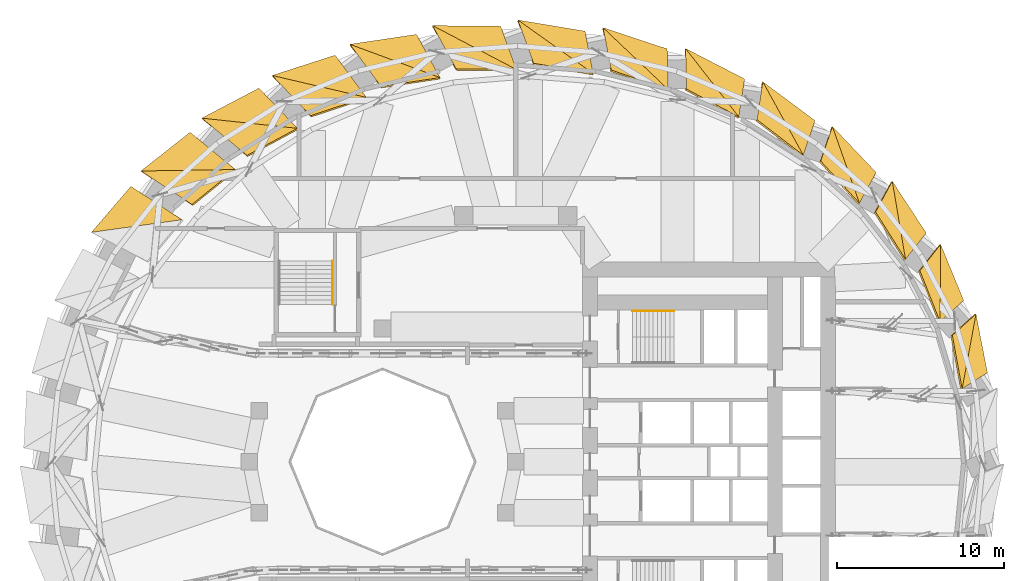
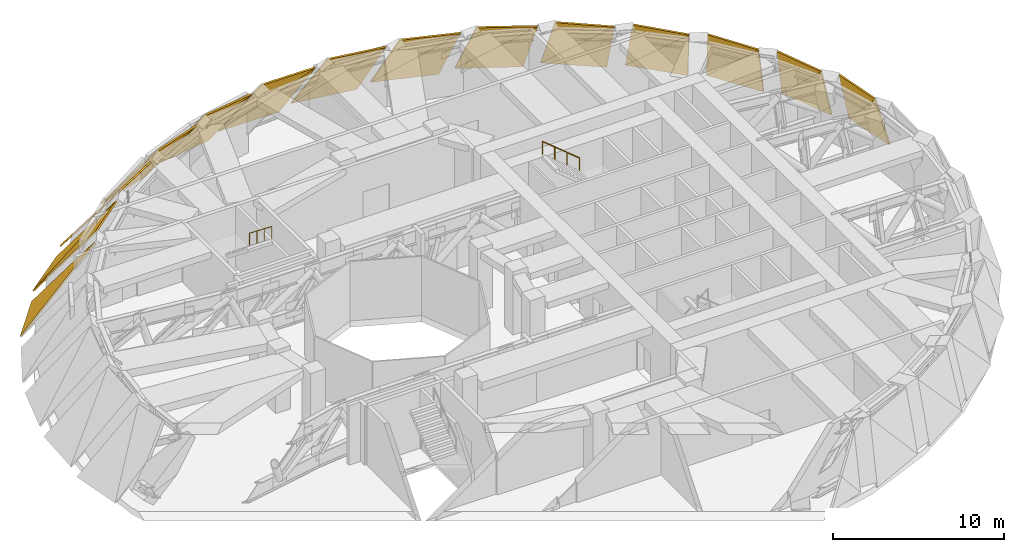
# One storey, part 15 of 15: 27 shading devices, 2 railings.
"""IFC4 building model written with IfcOpenShell, lengths in metres."""

from ifc_helpers import new_model, si_unit, direction, frame, origin, origin_2d, place, context, subcontext, project, spatial, polyline, circle, outline, extrude, material, layer, layer_set, type_object, element, save


model = new_model("IFC4")

# Units and contexts
model_context = context("Model", 3, precision=1e-05, world=origin(), true_north=direction((0.0, 1.0)))
body_context = subcontext(model_context, "Body", "Model", "MODEL_VIEW")
ifc_project = project(units=[si_unit("LENGTHUNIT", "METRE"), si_unit("AREAUNIT", "SQUARE_METRE"), si_unit("VOLUMEUNIT", "CUBIC_METRE"), si_unit("PLANEANGLEUNIT", "RADIAN"), si_unit("MASSUNIT", "GRAM", prefix="KILO")], contexts=[model_context])

# Site, building, storey
site_placement = place(None, origin())
site = spatial("IfcSite", under=ifc_project, at=site_placement, CompositionType="ELEMENT")
building_placement = place(site_placement, origin())
building = spatial("IfcBuilding", under=site, at=building_placement, Name="Taillehof Tower", CompositionType="ELEMENT")
storey_placement = place(building_placement, frame((0.0, 0.0, 84.39990234375)))
storey = spatial("IfcBuildingStorey", under=building, at=storey_placement, Name="L23", CompositionType="ELEMENT", Elevation=84.39990234375)

# Shading devices
ifc_material_1 = material(Name="Aluminium louvre blades", Category="aluminium")
ifc_layer = layer(ifc_material_1, 0.10009765625)
ifc_layer_set = layer_set([ifc_layer], Name="Louvre panel 100")
shading_device_type = type_object("IfcShadingDeviceType", Name="Louvre panel 100", PredefinedType="USERDEFINED", material=ifc_layer_set)
shading_device_1_placement = place(storey_placement, frame((28.30615234375, 5.35009765625, 0.0), z_axis=(0.916180394057, 0.178617964765, 0.358760516513), x_axis=(-0.191356645662, 0.981520572459, 0.0)))
element("IfcShadingDevice", 1, at=shading_device_1_placement, inside=storey, type_object=shading_device_type, Name="Louvre panel L23 bay 2a", ObjectType="LOUVER", PredefinedType="USERDEFINED", context=body_context, shape_type="SweptSolid", body=[
    extrude(outline(polyline([(0.0, 0.0), (3.582561100134604, 2.7755575615628914e-17), (-0.6662472100757599, 4.671061682244512), (0.0, 0.0)])), origin(), (0.0, 0.0, -1.0), 0.10009765625),
])
shading_device_2_placement = place(storey_placement, frame((27.62060546875, 8.866455078125, 0.0), z_axis=(0.921769250927, 0.168372494271, 0.349273748252), x_axis=(-0.297778949172, -0.269524049741, 0.915797184993)))
element("IfcShadingDevice", 2, at=shading_device_2_placement, inside=storey, type_object=shading_device_type, Name="Louvre panel L23 bay 2b", ObjectType="LOUVER", PredefinedType="USERDEFINED", context=body_context, shape_type="SweptSolid", body=[
    extrude(outline(polyline([(0.0, 0.0), (4.760996750505793, -1.1102230246251565e-16), (5.451086352931329, 3.186980839153476), (0.0, 0.0)])), origin(), (0.0, 0.0, -1.0), 0.10009765625),
])
shading_device_3_placement = place(storey_placement, frame((26.88232421875, 9.68212890625, 0.0), z_axis=(0.854805335246, 0.351799829487, 0.381503235645), x_axis=(-0.380584376045, 0.924746199079, 0.0)))
element("IfcShadingDevice", 3, at=shading_device_3_placement, inside=storey, type_object=shading_device_type, Name="Louvre panel L23 bay 3a", ObjectType="LOUVER", PredefinedType="USERDEFINED", context=body_context, shape_type="SweptSolid", body=[
    extrude(outline(polyline([(0.0, 0.0), (3.6372416496293747, 5.551115123125783e-17), (-0.6472991447415076, 4.716854937262133), (0.0, 0.0)])), origin(), (0.0, 0.0, -1.0), 0.10009765625),
])
shading_device_4_placement = place(storey_placement, frame((25.498046875, 13.045654296875, 0.0), z_axis=(0.86430414264, 0.340829110152, 0.369883585317), x_axis=(-0.259227992577, -0.328345285477, 0.908289723255)))
element("IfcShadingDevice", 4, at=shading_device_4_placement, inside=storey, type_object=shading_device_type, Name="Louvre panel L23 bay 3b", ObjectType="LOUVER", PredefinedType="USERDEFINED", context=body_context, shape_type="SweptSolid", body=[
    extrude(outline(polyline([(0.0, 0.0), (4.8003487326182945, -1.1102230246251565e-16), (5.494722794519456, 3.2270778932636164), (0.0, 0.0)])), origin(), (0.0, 0.0, -1.0), 0.10009765625),
])
shading_device_5_placement = place(storey_placement, frame((24.634765625, 13.727294921875, 0.0), z_axis=(0.766375076466, 0.502392078629, 0.400339158093), x_axis=(-0.548243285447, 0.836318898485, 0.0)))
element("IfcShadingDevice", 5, at=shading_device_5_placement, inside=storey, type_object=shading_device_type, Name="Louvre panel L23 bay 4a", ObjectType="LOUVER", PredefinedType="USERDEFINED", context=body_context, shape_type="SweptSolid", body=[
    extrude(outline(polyline([(0.0, 0.0), (3.717929853831843, 0.0), (-0.6359567340565268, 4.758036043070524), (0.0, 0.0)])), origin(), (0.0, 0.0, -1.0), 0.10009765625),
])
shading_device_6_placement = place(storey_placement, frame((22.596435546875, 16.836669921875, 0.0), z_axis=(0.7790661991, 0.492732424626, 0.387647539837), x_axis=(-0.207248198207, -0.381149011066, 0.900984803259)))
element("IfcShadingDevice", 6, at=shading_device_6_placement, inside=storey, type_object=shading_device_type, Name="Louvre panel L23 bay 4b", ObjectType="LOUVER", PredefinedType="USERDEFINED", context=body_context, shape_type="SweptSolid", body=[
    extrude(outline(polyline([(0.0, 0.0), (4.839268549374396, 0.0), (5.549738349902594, 3.2856718726879706), (0.0, 0.0)])), origin(), (0.0, 0.0, -1.0), 0.10009765625),
])
shading_device_7_placement = place(storey_placement, frame((21.6298828125, 17.362060546875, 0.0), z_axis=(0.658618777642, 0.626657166317, 0.416559841609), x_axis=(-0.689309697609, 0.724466797571, 0.0)))
element("IfcShadingDevice", 7, at=shading_device_7_placement, inside=storey, type_object=shading_device_type, Name="Louvre panel L23 bay 5a", ObjectType="LOUVER", PredefinedType="USERDEFINED", context=body_context, shape_type="SweptSolid", body=[
    extrude(outline(polyline([(0.0, 0.0), (3.8124078286082472, 0.0), (-0.6451054022378078, 4.79602642411517), (0.0, 0.0)])), origin(), (0.0, 0.0, -1.0), 0.10009765625),
])
shading_device_8_placement = place(storey_placement, frame((19.001953125, 20.1240234375, 0.0), z_axis=(0.673060721573, 0.619645269431, 0.403768504402), x_axis=(-0.143384936591, -0.426253859282, 0.893167625592)))
element("IfcShadingDevice", 8, at=shading_device_8_placement, inside=storey, type_object=shading_device_type, Name="Louvre panel L23 bay 5b", ObjectType="LOUVER", PredefinedType="USERDEFINED", context=body_context, shape_type="SweptSolid", body=[
    extrude(outline(polyline([(0.0, 0.0), (4.8816227737592435, 0.0), (5.624786357300604, 3.3515775537354924), (0.0, 0.0)])), origin(), (0.0, 0.0, -1.0), 0.10009765625),
])
shading_device_9_placement = place(storey_placement, frame((17.959228515625, 20.474853515625, 0.0), z_axis=(0.538224232662, 0.723774106841, 0.431816763965), x_axis=(-0.802444699443, 0.596726490392, 0.0)))
element("IfcShadingDevice", 9, at=shading_device_9_placement, inside=storey, type_object=shading_device_type, Name="Louvre panel L23 bay 6a", ObjectType="LOUVER", PredefinedType="USERDEFINED", context=body_context, shape_type="SweptSolid", body=[
    extrude(outline(polyline([(0.0, 0.0), (3.9080404298271385, 0.0), (-0.6800026670667184, 4.834029093630596), (0.0, 0.0)])), origin(), (0.0, 0.0, -1.0), 0.10009765625),
])
shading_device_10_placement = place(storey_placement, frame((14.8232421875, 22.806884765625, 0.0), z_axis=(0.552599020968, 0.719940241481, 0.419905192539), x_axis=(-0.069800651306, -0.462070410843, 0.884092079198)))
element("IfcShadingDevice", 10, at=shading_device_10_placement, inside=storey, type_object=shading_device_type, Name="Louvre panel L23 bay 6b", ObjectType="LOUVER", PredefinedType="USERDEFINED", context=body_context, shape_type="SweptSolid", body=[
    extrude(outline(polyline([(0.0, 0.0), (4.931734515514421, 1.1102230246251565e-16), (5.723743217688373, 3.414196877010572), (0.0, 0.0)])), origin(), (0.0, 0.0, -1.0), 0.10009765625),
])
shading_device_11_placement = place(storey_placement, frame((13.735595703125, 22.971435546875, 0.0), z_axis=(0.410113947125, 0.794582102091, 0.447711774929), x_axis=(-0.888617441087, 0.458649150654, 0.0)))
element("IfcShadingDevice", 11, at=shading_device_11_placement, inside=storey, type_object=shading_device_type, Name="Louvre panel L23 bay 7a", ObjectType="LOUVER", PredefinedType="USERDEFINED", context=body_context, shape_type="SweptSolid", body=[
    extrude(outline(polyline([(0.0, 0.0), (3.9922775064314235, -1.1102230246251565e-16), (-0.7393894603082364, 4.876107188794631), (0.0, 0.0)])), origin(), (0.0, 0.0, -1.0), 0.10009765625),
])
shading_device_12_placement = place(storey_placement, frame((10.18798828125, 24.802490234375, 0.0), z_axis=(0.422607162388, 0.79364234253, 0.437647139191), x_axis=(0.011000432515, -0.487343605824, 0.873140996831)))
element("IfcShadingDevice", 12, at=shading_device_12_placement, inside=storey, type_object=shading_device_type, Name="Louvre panel L23 bay 7b", ObjectType="LOUVER", PredefinedType="USERDEFINED", context=body_context, shape_type="SweptSolid", body=[
    extrude(outline(polyline([(0.0, 0.0), (4.993589165667344, 1.1102230246251565e-16), (5.845261557978869, 3.463814504208389), (0.0, 0.0)])), origin(), (0.0, 0.0, -1.0), 0.10009765625),
])
shading_device_13_placement = place(storey_placement, frame((9.088134765625, 24.777587890625, 0.0), z_axis=(0.277654646434, 0.840371616049, 0.465492689796), x_axis=(-0.949516951842, 0.313715728271, 0.0)))
element("IfcShadingDevice", 13, at=shading_device_13_placement, inside=storey, type_object=shading_device_type, Name="Louvre panel L23 bay 8a", ObjectType="LOUVER", PredefinedType="USERDEFINED", context=body_context, shape_type="SweptSolid", body=[
    extrude(outline(polyline([(0.0, 0.0), (4.0545390033908735, 0.0), (-0.8157703844698778, 4.926387124292339), (0.0, 0.0)])), origin(), (0.0, 0.0, -1.0), 0.10009765625),
])
shading_device_14_placement = place(storey_placement, frame((5.23828125, 26.049560546875, 0.0), z_axis=(0.28692509595, 0.841358399941, 0.458028418511), x_axis=(0.096267995688, -0.501036631886, 0.860055095046)))
element("IfcShadingDevice", 14, at=shading_device_14_placement, inside=storey, type_object=shading_device_type, Name="Louvre panel L23 bay 8b", ObjectType="LOUVER", PredefinedType="USERDEFINED", context=body_context, shape_type="SweptSolid", body=[
    extrude(outline(polyline([(0.0, 0.0), (5.069567574206151, 2.220446049250313e-16), (5.982364134666577, 3.492924704618311), (0.0, 0.0)])), origin(), (0.0, 0.0, -1.0), 0.10009765625),
])
shading_device_15_placement = place(storey_placement, frame((4.158203125, 25.842041015625, 0.0), z_axis=(0.14304148073, 0.862059843536, 0.486201564122), x_axis=(-0.986511538692, 0.163691734755, 0.0)))
element("IfcShadingDevice", 15, at=shading_device_15_placement, inside=storey, type_object=shading_device_type, Name="Louvre panel L23 bay 9a", ObjectType="LOUVER", PredefinedType="USERDEFINED", context=body_context, shape_type="SweptSolid", body=[
    extrude(outline(polyline([(0.0, 0.0), (4.086616306556003, 0.0), (-0.8969967926519684, 4.989556483661586), (0.0, 0.0)])), origin(), (0.0, 0.0, -1.0), 0.10009765625),
])
shading_device_16_placement = place(storey_placement, frame((0.126708984375, 26.510986328125, 0.0), z_axis=(0.148471226534, 0.863644978174, 0.481740227266), x_axis=(0.182804640765, -0.502712762102, 0.84490374726)))
element("IfcShadingDevice", 16, at=shading_device_16_placement, inside=storey, type_object=shading_device_type, Name="Louvre panel L23 bay 9b", ObjectType="LOUVER", PredefinedType="USERDEFINED", context=body_context, shape_type="SweptSolid", body=[
    extrude(outline(polyline([(0.0, 0.0), (5.160478262776892, 0.0), (6.123215154439896, 3.4983295440373063), (0.0, 0.0)])), origin(), (0.0, 0.0, -1.0), 0.10009765625),
])
shading_device_17_placement = place(storey_placement, frame((-0.906982421875, 26.135009765625, 0.0), z_axis=(0.008331461742, 0.860146281703, 0.509979372933), x_axis=(-0.999953093047, 0.009685644309, 0.0)))
element("IfcShadingDevice", 17, at=shading_device_17_placement, inside=storey, type_object=shading_device_type, Name="Louvre panel L23 bay 10a", ObjectType="LOUVER", PredefinedType="USERDEFINED", context=body_context, shape_type="SweptSolid", body=[
    extrude(outline(polyline([(0.0, 0.0), (4.083443495016995, 0.0), (-0.9684419941320055, 5.068792361558564), (0.0, 0.0)])), origin(), (0.0, 0.0, -1.0), 0.10009765625),
])
shading_device_18_placement = place(storey_placement, frame((-4.990234375, 26.174560546875, 0.0), z_axis=(0.009874819576, 0.860910005482, 0.508661430029), x_axis=(0.267497357879, -0.492421453877, 0.828230810396)))
element("IfcShadingDevice", 18, at=shading_device_18_placement, inside=storey, type_object=shading_device_type, Name="Louvre panel L23 bay 10b", ObjectType="LOUVER", PredefinedType="USERDEFINED", context=body_context, shape_type="SweptSolid", body=[
    extrude(outline(polyline([(0.0, 0.0), (5.264362744232517, 0.0), (6.252714792154144, 3.4810574152181726), (0.0, 0.0)])), origin(), (0.0, 0.0, -1.0), 0.10009765625),
])
shading_device_19_placement = place(storey_placement, frame((-5.956787109375, 25.6494140625, 0.0), z_axis=(-0.124453258858, 0.834697767659, 0.536461576466), x_axis=(-0.989066586301, -0.147469616743, 0.0)))
element("IfcShadingDevice", 19, at=shading_device_19_placement, inside=storey, type_object=shading_device_type, Name="Louvre panel L23 bay 11a", ObjectType="LOUVER", PredefinedType="USERDEFINED", context=body_context, shape_type="SweptSolid", body=[
    extrude(outline(polyline([(0.0, 0.0), (4.044463938049234, 0.0), (-1.0105233591817966, 5.166464714232667), (0.0, 0.0)])), origin(), (0.0, 0.0, -1.0), 0.10009765625),
])
shading_device_20_placement = place(storey_placement, frame((-9.95703125, 25.052978515625, 0.0), z_axis=(-0.126233302731, 0.833392724499, 0.538072225667), x_axis=(0.347559619316, -0.470874044667, 0.810851370524)))
element("IfcShadingDevice", 20, at=shading_device_20_placement, inside=storey, type_object=shading_device_type, Name="Louvre panel L23 bay 11b", ObjectType="LOUVER", PredefinedType="USERDEFINED", context=body_context, shape_type="SweptSolid", body=[
    extrude(outline(polyline([(0.0, 0.0), (5.377196833321492, 0.0), (6.3549507295010565, 3.4438140838599764), (0.0, 0.0)])), origin(), (0.0, 0.0, -1.0), 0.10009765625),
])
shading_device_21_placement = place(storey_placement, frame((-10.842041015625, 24.399658203125, 0.0), z_axis=(-0.252975115262, 0.785613053493, 0.56463769024), x_axis=(-0.951867245875, -0.306510597257, 0.0)))
element("IfcShadingDevice", 21, at=shading_device_21_placement, inside=storey, type_object=shading_device_type, Name="Louvre panel L23 bay 12a", ObjectType="LOUVER", PredefinedType="USERDEFINED", context=body_context, shape_type="SweptSolid", body=[
    extrude(outline(polyline([(0.0, 0.0), (3.971429265880818, 1.1102230246251565e-16), (-1.0026295155688105, 5.282808661241297), (0.0, 0.0)])), origin(), (0.0, 0.0, -1.0), 0.10009765625),
])
shading_device_22_placement = place(storey_placement, frame((-14.622314453125, 23.182373046875, 0.0), z_axis=(-0.256940563955, 0.781503747325, 0.568536225328), x_axis=(0.420393155364, -0.439330184463, 0.793888269181)))
element("IfcShadingDevice", 22, at=shading_device_22_placement, inside=storey, type_object=shading_device_type, Name="Louvre panel L23 bay 12b", ObjectType="LOUVER", PredefinedType="USERDEFINED", context=body_context, shape_type="SweptSolid", body=[
    extrude(outline(polyline([(0.0, 0.0), (5.49209201235942, -1.1102230246251565e-16), (6.413794060411659, 3.39301840007247), (0.0, 0.0)])), origin(), (0.0, 0.0, -1.0), 0.10009765625),
])
shading_device_23_placement = place(storey_placement, frame((-15.4169921875, 22.421875, 0.0), z_axis=(-0.374420250204, 0.712992833384, 0.592832772188), x_axis=(-0.885347297001, -0.464930278314, 0.0)))
element("IfcShadingDevice", 23, at=shading_device_23_placement, inside=storey, type_object=shading_device_type, Name="Louvre panel L23 bay 13a", ObjectType="LOUVER", PredefinedType="USERDEFINED", context=body_context, shape_type="SweptSolid", body=[
    extrude(outline(polyline([(0.0, 0.0), (3.872178373235987, 3.3306690738754696e-16), (-0.9223201775295004, 5.414092736769854), (0.0, 0.0)])), origin(), (0.0, 0.0, -1.0), 0.10009765625),
])
shading_device_24_placement = place(storey_placement, frame((-18.84521484375, 20.62158203125, 0.0), z_axis=(-0.379225902028, 0.705962015091, 0.59816832788), x_axis=(0.48433085, -0.399381171576, 0.77840754591)))
element("IfcShadingDevice", 24, at=shading_device_24_placement, inside=storey, type_object=shading_device_type, Name="Louvre panel L23 bay 13b", ObjectType="LOUVER", PredefinedType="USERDEFINED", context=body_context, shape_type="SweptSolid", body=[
    extrude(outline(polyline([(0.0, 0.0), (5.6013170026242065, 1.1102230246251565e-16), (6.417216397957279, 3.3345089919543867), (0.0, 0.0)])), origin(), (0.0, 0.0, -1.0), 0.10009765625),
])
shading_device_25_placement = place(storey_placement, frame((-19.544921875, 19.772705078125, 0.0), z_axis=(-0.48563437381, 0.61736556864, 0.618885296022), x_axis=(-0.785970983324, -0.618263385113, 0.0)))
element("IfcShadingDevice", 25, at=shading_device_25_placement, inside=storey, type_object=shading_device_type, Name="Louvre panel L23 bay 14a", ObjectType="LOUVER", PredefinedType="USERDEFINED", context=body_context, shape_type="SweptSolid", body=[
    extrude(outline(polyline([(0.0, 0.0), (3.7572951962029904, 0.0), (-0.7493116289775587, 5.550873083709492), (0.0, 0.0)])), origin(), (0.0, 0.0, -1.0), 0.10009765625),
])
shading_device_26_placement = place(storey_placement, frame((-22.498046875, 17.44970703125, 0.0), z_axis=(-0.489886603727, 0.608190221783, 0.624592482838), x_axis=(0.538195300419, -0.352638797113, 0.76550094538)))
element("IfcShadingDevice", 26, at=shading_device_26_placement, inside=storey, type_object=shading_device_type, Name="Louvre panel L23 bay 14b", ObjectType="LOUVER", PredefinedType="USERDEFINED", context=body_context, shape_type="SweptSolid", body=[
    extrude(outline(polyline([(0.0, 0.0), (5.695757070178262, -6.661338147750939e-16), (6.356698344796852, 3.2732374221054252), (0.0, 0.0)])), origin(), (0.0, 0.0, -1.0), 0.10009765625),
])
shading_device_27_placement = place(storey_placement, frame((-23.10107421875, 16.529541015625, 0.0), z_axis=(-0.583183146084, 0.499908053607, 0.640304112171), x_axis=(-0.650818980349, -0.759232938444, 0.0)))
element("IfcShadingDevice", 27, at=shading_device_27_placement, inside=storey, type_object=shading_device_type, Name="Louvre panel L23 bay 15a", ObjectType="LOUVER", PredefinedType="USERDEFINED", context=body_context, shape_type="SweptSolid", body=[
    extrude(outline(polyline([(0.0, 0.0), (3.6413705168900057, 0.0), (-0.47008636051911346, 5.676325168287979), (0.0, 0.0)])), origin(), (0.0, 0.0, -1.0), 0.10009765625),
])

# Railings
ifc_material_2 = material(Name="Stainless steel", Category="steel")
railing_type = type_object("IfcRailingType", Name="Stair handrail 900", PredefinedType="HANDRAIL", material=ifc_material_2)
railing_1_placement = place(storey_placement, frame((9.5, 9.050048828125, 2.45458984375)))
element("IfcRailing", 28, at=railing_1_placement, inside=storey, type_object=railing_type, Name="Stair S1 handrail", PredefinedType="HANDRAIL", context=body_context, shape_type="SweptSolid", body=[
    extrude(circle(Radius=0.02392578125, at=origin_2d()), frame((0.0, 0.0, 0.8759765625), z_axis=(-0.773964034227, 0.0, 0.633229558472), x_axis=(0.0, -1.0, 0.0)), (0.0, 0.0, 1.0), 3.230224609375),
    extrude(circle(Radius=0.02099609375, at=origin_2d()), origin(), (0.0, 0.0, 1.0), 0.851806640625),
    extrude(circle(Radius=0.02099609375, at=origin_2d()), frame((-0.833251953125, 0.0, 0.681884765625)), (0.0, 0.0, 1.0), 0.851806640625),
    extrude(circle(Radius=0.02099609375, at=origin_2d()), frame((-1.666748046875, 0.0, 1.363525390625)), (0.0, 0.0, 1.0), 0.851806640625),
    extrude(circle(Radius=0.02099609375, at=origin_2d()), frame((-2.5, 0.0, 2.04541015625)), (0.0, 0.0, 1.0), 0.851806640625),
])
railing_2_placement = place(storey_placement, frame((-11.0, 12.050048828125, 2.45458984375)))
element("IfcRailing", 29, at=railing_2_placement, inside=storey, type_object=railing_type, Name="Stair S3 handrail", PredefinedType="HANDRAIL", context=body_context, shape_type="SweptSolid", body=[
    extrude(circle(Radius=0.02392578125, at=origin_2d()), frame((0.0, 0.0, 0.8759765625), z_axis=(0.0, -0.785954564337, 0.618284257278), x_axis=(1.0, 0.0, 0.0)), (0.0, 0.0, 1.0), 3.30810546875),
    extrude(circle(Radius=0.02099609375, at=origin_2d()), origin(), (0.0, 0.0, 1.0), 0.851806640625),
    extrude(circle(Radius=0.02099609375, at=origin_2d()), frame((0.0, -0.86669921875, 0.681884765625)), (0.0, 0.0, 1.0), 0.851806640625),
    extrude(circle(Radius=0.02099609375, at=origin_2d()), frame((0.0, -1.7333984375, 1.363525390625)), (0.0, 0.0, 1.0), 0.851806640625),
    extrude(circle(Radius=0.02099609375, at=origin_2d()), frame((0.0, -2.60009765625, 2.04541015625)), (0.0, 0.0, 1.0), 0.851806640625),
])

save(model, "model.ifc")
